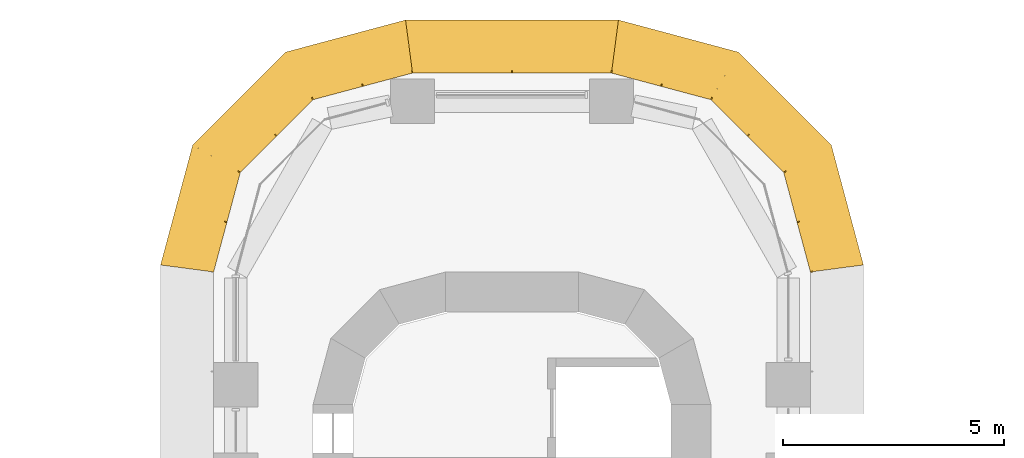
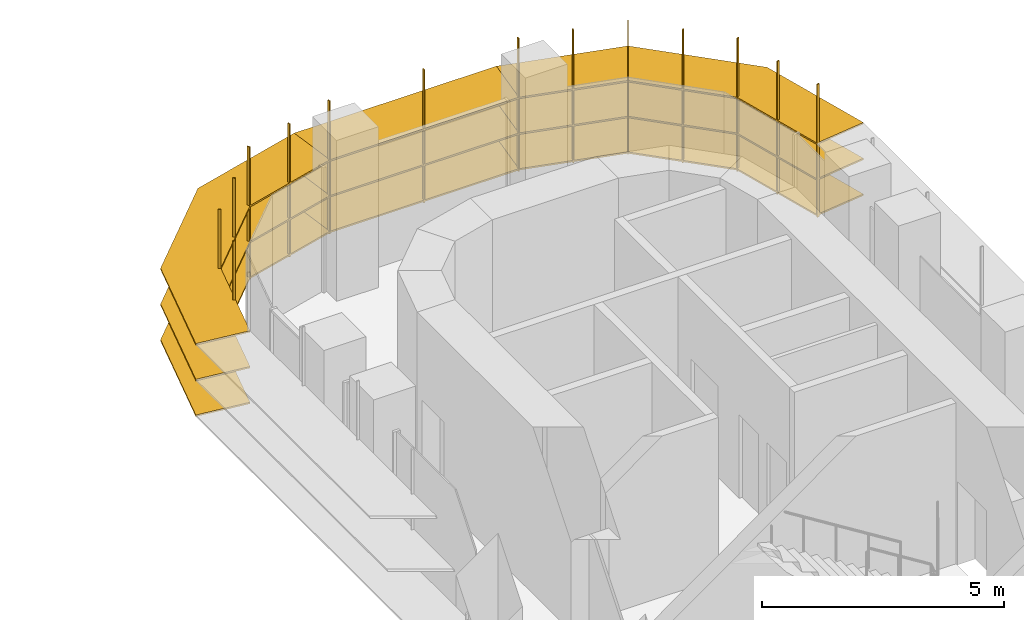
# One storey, part 23 of 23: 3 shading devices.
"""IFC4 building model written with IfcOpenShell, lengths in metres."""

from ifc_helpers import new_model, si_unit, direction, frame, origin, place, context, subcontext, project, spatial, polyline, outline, extrude, faceted_brep, source, transform, mapped, material, type_object, element, save


model = new_model("IFC4")

# Units and contexts
model_context = context("Model", 3, precision=1e-05, world=origin(), true_north=direction((0.0, 1.0)))
body_context = subcontext(model_context, "Body", "Model", "MODEL_VIEW")
ifc_project = project(units=[si_unit("LENGTHUNIT", "METRE"), si_unit("AREAUNIT", "SQUARE_METRE"), si_unit("VOLUMEUNIT", "CUBIC_METRE"), si_unit("PLANEANGLEUNIT", "RADIAN"), si_unit("MASSUNIT", "GRAM", prefix="KILO")], contexts=[model_context])

# Site, building, storey
site_placement = place(None, origin())
site = spatial("IfcSite", under=ifc_project, at=site_placement, CompositionType="ELEMENT")
building_placement = place(site_placement, origin())
building = spatial("IfcBuilding", under=site, at=building_placement, Name="Zarbagh Exchange Tower", CompositionType="ELEMENT")
storey_placement = place(building_placement, frame((0.0, 0.0, 77.39990234375)))
storey = spatial("IfcBuildingStorey", under=building, at=storey_placement, Name="L17", CompositionType="ELEMENT", Elevation=77.39990234375)

# Shading devices
ifc_material = material(Name="Anodised aluminium blades and brackets", Category="aluminium")
shading_device_type = type_object("IfcShadingDeviceType", Name="SUNSHADE louvre band, 0 degree blades", PredefinedType="JALOUSIE", material=ifc_material)
shared_shape_1 = source(origin(), body_context, "Body", "Brep", [
    faceted_brep([(0.0, 0.0, 0.0), (0.0, 0.0, -0.0400390625), (-0.157958984375, -1.199951171875, -0.0400390625), (-0.157958984375, -1.199951171875, 0.0), (2.65087890625, -1.199951171875, 0.0), (2.65087890625, -1.199951171875, -0.0400390625), (2.329345703125, 0.0, -0.0400390625), (2.329345703125, 0.0, 0.0)], [[[0, 1, 2, 3]], [[4, 5, 6, 7]], [[0, 7, 6, 1]], [[1, 6, 5, 2]], [[2, 5, 4, 3]], [[3, 4, 7, 0]]]),
])
shared_shape_2 = source(origin(), body_context, "Body", "Brep", [
    faceted_brep([(0.0, 0.0, 0.0), (0.0, 0.0, -0.0400390625), (-0.321533203125, -1.199951171875, -0.0400390625), (-0.321533203125, -1.199951171875, 0.0), (2.65087890625, -1.199951171875, 0.0), (2.65087890625, -1.199951171875, -0.0400390625), (2.329345703125, 0.0, -0.0400390625), (2.329345703125, 0.0, 0.0)], [[[0, 1, 2, 3]], [[4, 5, 6, 7]], [[0, 7, 6, 1]], [[1, 6, 5, 2]], [[2, 5, 4, 3]], [[3, 4, 7, 0]]]),
])
shared_shape_3 = source(origin(), body_context, "Body", "Brep", [
    faceted_brep([(0.0, 0.0, 0.0), (0.0, 0.0, -0.0400390625), (-0.321533203125, -1.199951171875, -0.0400390625), (-0.321533203125, -1.199951171875, 0.0), (2.4873046875, -1.199951171875, 0.0), (2.4873046875, -1.199951171875, -0.0400390625), (2.329345703125, 0.0, -0.0400390625), (2.329345703125, 0.0, 0.0)], [[[0, 1, 2, 3]], [[4, 5, 6, 7]], [[0, 7, 6, 1]], [[1, 6, 5, 2]], [[2, 5, 4, 3]], [[3, 4, 7, 0]]]),
])
shared_shape_4 = source(origin(), body_context, "Body", "SweptSolid", [
    extrude(outline(polyline([(0.0, -0.012451171875), (0.06005859375, -0.012451171875), (0.06005859375, 0.012451171875), (0.0, 0.012451171875), (0.0, -0.012451171875)])), origin(), (0.0, 0.0, 1.0), 3.35009765625),
])
placement = place(storey_placement, origin())
element("IfcShadingDevice", 1, at=placement, inside=storey, type_object=shading_device_type, Name="SS11 sunshade band", PredefinedType="JALOUSIE", context=body_context, shape_type="MappedRepresentation", body=[
    mapped(shared_shape_1, transform((6.75, 29.25, 2.7001953125), x_axis=(-0.258824779902, 0.965924289636, 0.0), y_axis=(-0.965924289636, -0.258824779902, 0.0), z_axis=(0.0, 0.0, 1.0))),
    mapped(shared_shape_1, transform((6.75, 29.25, 1.800048828125), x_axis=(-0.258824779902, 0.965924289636, 0.0), y_axis=(-0.965924289636, -0.258824779902, 0.0), z_axis=(0.0, 0.0, 1.0))),
    mapped(shared_shape_1, transform((6.75, 29.25, 0.900146484375), x_axis=(-0.258824779902, 0.965924289636, 0.0), y_axis=(-0.965924289636, -0.258824779902, 0.0), z_axis=(0.0, 0.0, 1.0))),
    mapped(shared_shape_2, transform((6.147216796875, 31.5, 2.7001953125), x_axis=(-0.707106781187, 0.707106781187, 0.0), y_axis=(-0.707106781187, -0.707106781187, 0.0), z_axis=(0.0, 0.0, 1.0))),
    mapped(shared_shape_2, transform((6.147216796875, 31.5, 1.800048828125), x_axis=(-0.707106781187, 0.707106781187, 0.0), y_axis=(-0.707106781187, -0.707106781187, 0.0), z_axis=(0.0, 0.0, 1.0))),
    mapped(shared_shape_2, transform((6.147216796875, 31.5, 0.900146484375), x_axis=(-0.707106781187, 0.707106781187, 0.0), y_axis=(-0.707106781187, -0.707106781187, 0.0), z_axis=(0.0, 0.0, 1.0))),
    mapped(shared_shape_3, transform((4.5, 33.147216796875, 2.7001953125), x_axis=(-0.965924289636, 0.258824779902, 0.0), y_axis=(-0.258824779902, -0.965924289636, 0.0), z_axis=(0.0, 0.0, 1.0))),
    mapped(shared_shape_3, transform((4.5, 33.147216796875, 1.800048828125), x_axis=(-0.965924289636, 0.258824779902, 0.0), y_axis=(-0.258824779902, -0.965924289636, 0.0), z_axis=(0.0, 0.0, 1.0))),
    mapped(shared_shape_3, transform((4.5, 33.147216796875, 0.900146484375), x_axis=(-0.965924289636, 0.258824779902, 0.0), y_axis=(-0.258824779902, -0.965924289636, 0.0), z_axis=(0.0, 0.0, 1.0))),
    mapped(shared_shape_4, transform((6.75, 29.25, 0.830078125), x_axis=(0.991444457092, 0.130529263012, 0.0), y_axis=(-0.130529263012, 0.991444457092, 0.0), z_axis=(0.0, 0.0, 1.0))),
    mapped(shared_shape_4, transform((6.448486328125, 30.375, 0.830078125), x_axis=(0.96592421511, 0.258825058029, 0.0), y_axis=(-0.258825058029, 0.96592421511, 0.0), z_axis=(0.0, 0.0, 1.0))),
    mapped(shared_shape_4, transform((6.147216796875, 31.5, 0.830078125), x_axis=(0.866023812018, 0.50000275701, 0.0), y_axis=(-0.50000275701, 0.866023812018, 0.0), z_axis=(0.0, 0.0, 1.0))),
    mapped(shared_shape_4, transform((5.323486328125, 32.323486328125, 0.830078125), x_axis=(0.707106781187, 0.707106781187, 0.0), y_axis=(-0.707106781187, 0.707106781187, 0.0), z_axis=(0.0, 0.0, 1.0))),
    mapped(shared_shape_4, transform((4.5, 33.147216796875, 0.830078125), x_axis=(0.50000275701, 0.866023812018, 0.0), y_axis=(-0.866023812018, 0.50000275701, 0.0), z_axis=(0.0, 0.0, 1.0))),
    mapped(shared_shape_4, transform((3.375, 33.448486328125, 0.830078125), x_axis=(0.258825058029, 0.96592421511, 0.0), y_axis=(-0.96592421511, 0.258825058029, 0.0), z_axis=(0.0, 0.0, 1.0))),
])
element("IfcShadingDevice", 2, at=placement, inside=storey, type_object=shading_device_type, Name="SS13 sunshade band", PredefinedType="JALOUSIE", context=body_context, shape_type="MappedRepresentation", body=[
    mapped(shared_shape_1, transform((-2.25, 33.75, 2.7001953125), x_axis=(-0.965924289636, -0.258824779902, 0.0), y_axis=(0.258824779902, -0.965924289636, 0.0), z_axis=(0.0, 0.0, 1.0))),
    mapped(shared_shape_1, transform((-2.25, 33.75, 1.800048828125), x_axis=(-0.965924289636, -0.258824779902, 0.0), y_axis=(0.258824779902, -0.965924289636, 0.0), z_axis=(0.0, 0.0, 1.0))),
    mapped(shared_shape_1, transform((-2.25, 33.75, 0.900146484375), x_axis=(-0.965924289636, -0.258824779902, 0.0), y_axis=(0.258824779902, -0.965924289636, 0.0), z_axis=(0.0, 0.0, 1.0))),
    mapped(shared_shape_2, transform((-4.5, 33.147216796875, 2.7001953125), x_axis=(-0.707106781187, -0.707106781187, 0.0), y_axis=(0.707106781187, -0.707106781187, 0.0), z_axis=(0.0, 0.0, 1.0))),
    mapped(shared_shape_2, transform((-4.5, 33.147216796875, 1.800048828125), x_axis=(-0.707106781187, -0.707106781187, 0.0), y_axis=(0.707106781187, -0.707106781187, 0.0), z_axis=(0.0, 0.0, 1.0))),
    mapped(shared_shape_2, transform((-4.5, 33.147216796875, 0.900146484375), x_axis=(-0.707106781187, -0.707106781187, 0.0), y_axis=(0.707106781187, -0.707106781187, 0.0), z_axis=(0.0, 0.0, 1.0))),
    mapped(shared_shape_3, transform((-6.147216796875, 31.5, 2.7001953125), x_axis=(-0.258824779902, -0.965924289636, 0.0), y_axis=(0.965924289636, -0.258824779902, 0.0), z_axis=(0.0, 0.0, 1.0))),
    mapped(shared_shape_3, transform((-6.147216796875, 31.5, 1.800048828125), x_axis=(-0.258824779902, -0.965924289636, 0.0), y_axis=(0.965924289636, -0.258824779902, 0.0), z_axis=(0.0, 0.0, 1.0))),
    mapped(shared_shape_3, transform((-6.147216796875, 31.5, 0.900146484375), x_axis=(-0.258824779902, -0.965924289636, 0.0), y_axis=(0.965924289636, -0.258824779902, 0.0), z_axis=(0.0, 0.0, 1.0))),
    mapped(shared_shape_4, transform((-2.25, 33.75, 0.830078125), x_axis=(-0.130529263012, 0.991444457092, 0.0), y_axis=(-0.991444457092, -0.130529263012, 0.0), z_axis=(0.0, 0.0, 1.0))),
    mapped(shared_shape_4, transform((-3.375, 33.448486328125, 0.830078125), x_axis=(-0.258825058029, 0.96592421511, 0.0), y_axis=(-0.96592421511, -0.258825058029, 0.0), z_axis=(0.0, 0.0, 1.0))),
    mapped(shared_shape_4, transform((-4.5, 33.147216796875, 0.830078125), x_axis=(-0.50000275701, 0.866023812018, 0.0), y_axis=(-0.866023812018, -0.50000275701, 0.0), z_axis=(0.0, 0.0, 1.0))),
    mapped(shared_shape_4, transform((-5.323486328125, 32.323486328125, 0.830078125), x_axis=(-0.707106781187, 0.707106781187, 0.0), y_axis=(-0.707106781187, -0.707106781187, 0.0), z_axis=(0.0, 0.0, 1.0))),
    mapped(shared_shape_4, transform((-6.147216796875, 31.5, 0.830078125), x_axis=(-0.866023812018, 0.50000275701, 0.0), y_axis=(-0.50000275701, -0.866023812018, 0.0), z_axis=(0.0, 0.0, 1.0))),
    mapped(shared_shape_4, transform((-6.448486328125, 30.375, 0.830078125), x_axis=(-0.96592421511, 0.258825058029, 0.0), y_axis=(-0.258825058029, -0.96592421511, 0.0), z_axis=(0.0, 0.0, 1.0))),
])
shared_shape_5 = source(origin(), body_context, "Body", "Brep", [
    faceted_brep([(0.0, 0.0, 0.0), (0.0, 0.0, -0.0400390625), (-0.157958984375, -1.199951171875, -0.0400390625), (-0.157958984375, -1.199951171875, 0.0), (4.657958984375, -1.199951171875, 0.0), (4.657958984375, -1.199951171875, -0.0400390625), (4.5, 0.0, -0.0400390625), (4.5, 0.0, 0.0)], [[[0, 1, 2, 3]], [[4, 5, 6, 7]], [[0, 7, 6, 1]], [[1, 6, 5, 2]], [[2, 5, 4, 3]], [[3, 4, 7, 0]]]),
])
element("IfcShadingDevice", 3, at=placement, inside=storey, type_object=shading_device_type, Name="SS12 sunshade band", PredefinedType="JALOUSIE", context=body_context, shape_type="MappedRepresentation", body=[
    mapped(shared_shape_5, transform((2.25, 33.75, 2.7001953125), x_axis=(-1.0, 0.0, 0.0), y_axis=(0.0, -1.0, 0.0), z_axis=(0.0, 0.0, 1.0))),
    mapped(shared_shape_5, transform((2.25, 33.75, 1.800048828125), x_axis=(-1.0, 0.0, 0.0), y_axis=(0.0, -1.0, 0.0), z_axis=(0.0, 0.0, 1.0))),
    mapped(shared_shape_5, transform((2.25, 33.75, 0.900146484375), x_axis=(-1.0, 0.0, 0.0), y_axis=(0.0, -1.0, 0.0), z_axis=(0.0, 0.0, 1.0))),
    mapped(shared_shape_4, transform((2.25, 33.75, 0.830078125), x_axis=(0.130529263012, 0.991444457092, 0.0), y_axis=(-0.991444457092, 0.130529263012, 0.0), z_axis=(0.0, 0.0, 1.0))),
    mapped(shared_shape_4, transform((0.0, 33.75, 0.830078125), x_axis=(0.0, 1.0, 0.0), y_axis=(-1.0, 0.0, 0.0), z_axis=(0.0, 0.0, 1.0))),
])

save(model, "model.ifc")
